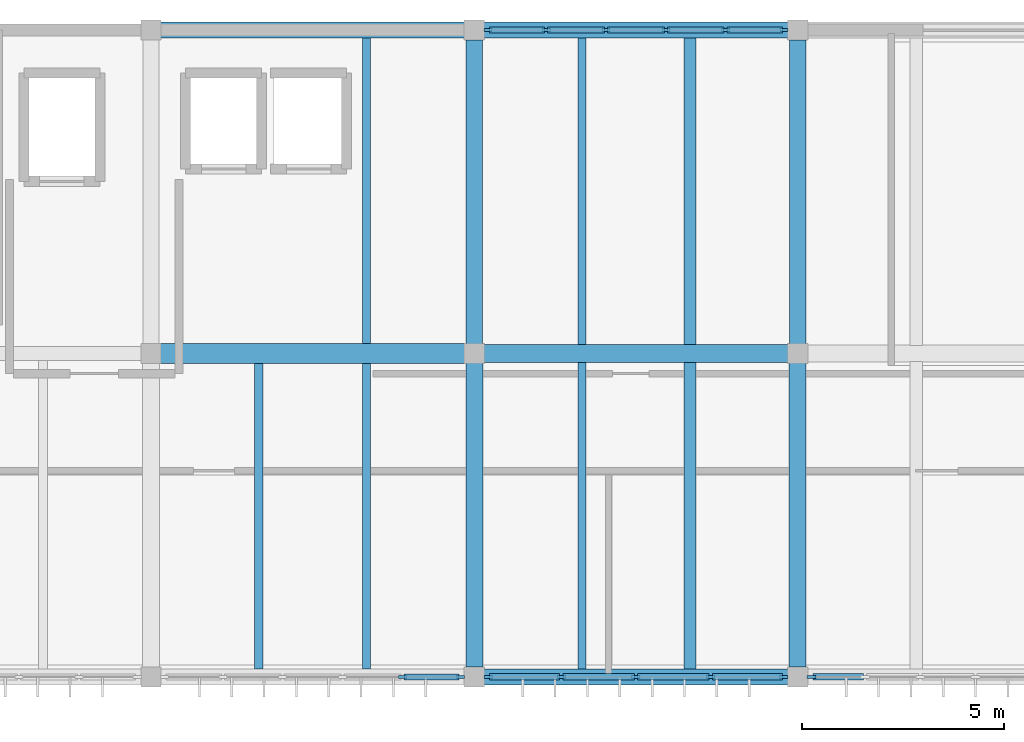
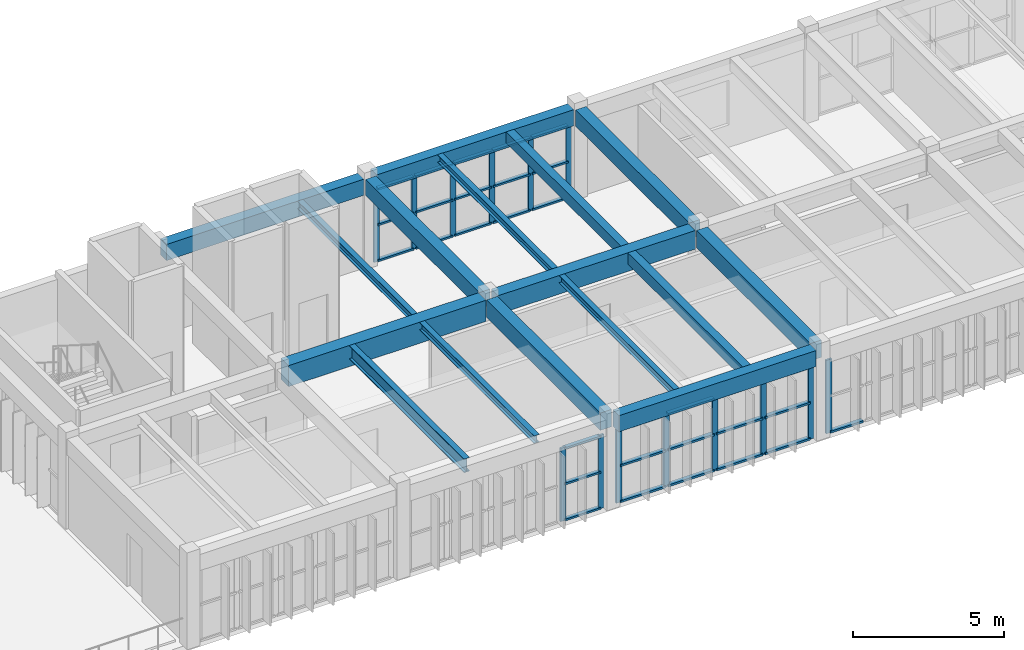
# One storey, part 3 of 12: 45 members, 16 beams, 4 elements without a shape of their own.
"""IFC4 building model written with IfcOpenShell, lengths in metres."""

from ifc_helpers import new_model, si_unit, direction, frame, origin, origin_2d, place, context, subcontext, project, spatial, rectangle, i_section, extrude, material, material_profile, profile_set, type_object, element, aggregate, save


model = new_model("IFC4")

# Units and contexts
model_context = context("Model", 3, precision=1e-05, world=origin(), true_north=direction((0.0, 1.0)))
body_context = subcontext(model_context, "Body", "Model", "MODEL_VIEW")
ifc_project = project(units=[si_unit("LENGTHUNIT", "METRE"), si_unit("AREAUNIT", "SQUARE_METRE"), si_unit("VOLUMEUNIT", "CUBIC_METRE"), si_unit("PLANEANGLEUNIT", "RADIAN"), si_unit("MASSUNIT", "GRAM", prefix="KILO")], contexts=[model_context])

# Site, building, storey
site_placement = place(None, origin())
site = spatial("IfcSite", under=ifc_project, at=site_placement, CompositionType="ELEMENT")
building_placement = place(site_placement, origin())
building = spatial("IfcBuilding", under=site, at=building_placement, Name="Tlaxcora Railside Police Headquarters", CompositionType="ELEMENT")
storey_placement = place(building_placement, frame((0.0, 0.0, 29.699951171875)))
storey = spatial("IfcBuildingStorey", under=building, at=storey_placement, Name="L07", CompositionType="ELEMENT", Elevation=29.699951171875)

# Curtain wall, member
ifc_material_1 = material(Name="Thermally broken low-E insulated glazing", Category="glass")
curtain_wall_type_1 = type_object("IfcCurtainWallType", Name="Unitised Curtain Wall Assembly CW-23", PredefinedType="NOTDEFINED", material=ifc_material_1)
curtain_wall_1_placement = place(storey_placement, origin())
curtain_wall_1 = element("IfcCurtainWall", 1, at=curtain_wall_1_placement, inside=storey, type_object=curtain_wall_type_1, Name="V5 L07 curtain wall 136", PredefinedType="NOTDEFINED")
ifc_material_2 = material(Name="Anodised aluminium framing", Category="aluminium")
ifc_material_profile_1 = material_profile(ifc_material_2, rectangle(XDim=0.080078125, YDim=0.219970703125, at=origin_2d()), Name="AL80X220")
ifc_profile_set_1 = profile_set([ifc_material_profile_1], Name="Anodised aluminium framing")
member_type_1 = type_object("IfcMemberType", Name="Curtain Wall Mullion CW-31", PredefinedType="MULLION", material=ifc_profile_set_1)
member_1_placement = place(storey_placement, frame((45.5400390625, 76.800048828125, 0.0), z_axis=(0.0, 0.0, 1.0), x_axis=(0.0, 1.0, 0.0)))
member_1 = element("IfcMember", 2, at=member_1_placement, type_object=member_type_1, Name="CW mullion 1", PredefinedType="MULLION", context=body_context, shape_type="SweptSolid", body=[
    extrude(rectangle(XDim=0.080078125, YDim=0.219970703125, at=origin_2d()), origin(), (0.0, 0.0, 1.0), 2.9599609375),
])

# Curtain wall, members
curtain_wall_type_2 = type_object("IfcCurtainWallType", Name="Unitised Curtain Wall Assembly CW-15", PredefinedType="NOTDEFINED", material=ifc_material_1)
curtain_wall_2_placement = place(storey_placement, origin())
curtain_wall_2 = element("IfcCurtainWall", 3, at=curtain_wall_2_placement, inside=storey, type_object=curtain_wall_type_2, Name="V5 L07 curtain wall 134", PredefinedType="NOTDEFINED")
ifc_material_profile_2 = material_profile(ifc_material_2, rectangle(XDim=0.074951171875, YDim=0.199951171875, at=origin_2d()), Name="AL75X200")
ifc_profile_set_2 = profile_set([ifc_material_profile_2], Name="Anodised aluminium framing")
member_type_2 = type_object("IfcMemberType", Name="Curtain Wall Mullion CW-58", PredefinedType="MULLION", material=ifc_profile_set_2)
member_2_placement = place(storey_placement, frame((35.419921875, 76.800048828125, 0.0), z_axis=(0.0, 0.0, 1.0), x_axis=(0.0, 1.0, 0.0)))
member_2 = element("IfcMember", 4, at=member_2_placement, type_object=member_type_2, Name="CW mullion 5", PredefinedType="MULLION", context=body_context, shape_type="SweptSolid", body=[
    extrude(rectangle(XDim=0.074951171875, YDim=0.199951171875, at=origin_2d()), origin(), (0.0, 0.0, 1.0), 2.9599609375),
])
member_3_placement = place(storey_placement, frame((36.862548828125, 76.800048828125, 0.0), z_axis=(0.0, 0.0, 1.0), x_axis=(0.0, 1.0, 0.0)))
member_3 = element("IfcMember", 5, at=member_3_placement, type_object=member_type_2, Name="CW mullion 6", PredefinedType="MULLION", context=body_context, shape_type="SweptSolid", body=[
    extrude(rectangle(XDim=0.074951171875, YDim=0.199951171875, at=origin_2d()), origin(), (0.0, 0.0, 1.0), 2.9599609375),
])

curtain_wall_3_placement = place(storey_placement, origin())
curtain_wall_3 = element("IfcCurtainWall", 6, at=curtain_wall_3_placement, inside=storey, type_object=curtain_wall_type_2, Name="V5 L07 curtain wall 142", PredefinedType="NOTDEFINED")
member_4_placement = place(storey_placement, frame((44.862548828125, 92.800048828125, 0.0), z_axis=(0.0, 0.0, 1.0), x_axis=(0.0, -1.0, 0.0)))
member_4 = element("IfcMember", 7, at=member_4_placement, type_object=member_type_2, Name="CW mullion 1", PredefinedType="MULLION", context=body_context, shape_type="SweptSolid", body=[
    extrude(rectangle(XDim=0.074951171875, YDim=0.199951171875, at=origin_2d()), origin(), (0.0, 0.0, 1.0), 2.9599609375),
])
member_5_placement = place(storey_placement, frame((43.419921875, 92.800048828125, 0.0), z_axis=(0.0, 0.0, 1.0), x_axis=(0.0, -1.0, 0.0)))
member_5 = element("IfcMember", 8, at=member_5_placement, type_object=member_type_2, Name="CW mullion 2", PredefinedType="MULLION", context=body_context, shape_type="SweptSolid", body=[
    extrude(rectangle(XDim=0.074951171875, YDim=0.199951171875, at=origin_2d()), origin(), (0.0, 0.0, 1.0), 2.9599609375),
])
member_6_placement = place(storey_placement, frame((41.93994140625, 92.800048828125, 0.0), z_axis=(0.0, 0.0, 1.0), x_axis=(0.0, -1.0, 0.0)))
member_6 = element("IfcMember", 9, at=member_6_placement, type_object=member_type_2, Name="CW mullion 3", PredefinedType="MULLION", context=body_context, shape_type="SweptSolid", body=[
    extrude(rectangle(XDim=0.074951171875, YDim=0.199951171875, at=origin_2d()), origin(), (0.0, 0.0, 1.0), 2.9599609375),
])
member_7_placement = place(storey_placement, frame((40.4599609375, 92.800048828125, 0.0), z_axis=(0.0, 0.0, 1.0), x_axis=(0.0, -1.0, 0.0)))
member_7 = element("IfcMember", 10, at=member_7_placement, type_object=member_type_2, Name="CW mullion 4", PredefinedType="MULLION", context=body_context, shape_type="SweptSolid", body=[
    extrude(rectangle(XDim=0.074951171875, YDim=0.199951171875, at=origin_2d()), origin(), (0.0, 0.0, 1.0), 2.9599609375),
])
member_8_placement = place(storey_placement, frame((38.97998046875, 92.800048828125, 0.0), z_axis=(0.0, 0.0, 1.0), x_axis=(0.0, -1.0, 0.0)))
member_8 = element("IfcMember", 11, at=member_8_placement, type_object=member_type_2, Name="CW mullion 5", PredefinedType="MULLION", context=body_context, shape_type="SweptSolid", body=[
    extrude(rectangle(XDim=0.074951171875, YDim=0.199951171875, at=origin_2d()), origin(), (0.0, 0.0, 1.0), 2.9599609375),
])
member_9_placement = place(storey_placement, frame((37.53759765625, 92.800048828125, 0.0), z_axis=(0.0, 0.0, 1.0), x_axis=(0.0, -1.0, 0.0)))
member_9 = element("IfcMember", 12, at=member_9_placement, type_object=member_type_2, Name="CW mullion 6", PredefinedType="MULLION", context=body_context, shape_type="SweptSolid", body=[
    extrude(rectangle(XDim=0.074951171875, YDim=0.199951171875, at=origin_2d()), origin(), (0.0, 0.0, 1.0), 2.9599609375),
])

curtain_wall_type_3 = type_object("IfcCurtainWallType", Name="Unitised Curtain Wall Assembly CW-83", PredefinedType="NOTDEFINED", material=ifc_material_1)
curtain_wall_4_placement = place(storey_placement, origin())
curtain_wall_4 = element("IfcCurtainWall", 13, at=curtain_wall_4_placement, inside=storey, type_object=curtain_wall_type_3, Name="V5 L07 curtain wall 135", PredefinedType="NOTDEFINED")
ifc_material_profile_3 = material_profile(ifc_material_2, rectangle(XDim=0.080078125, YDim=0.2099609375, at=origin_2d()), Name="AL80X210")
ifc_profile_set_3 = profile_set([ifc_material_profile_3], Name="Anodised aluminium framing")
member_type_3 = type_object("IfcMemberType", Name="Curtain Wall Mullion CW-76", PredefinedType="MULLION", material=ifc_profile_set_3)
member_10_placement = place(storey_placement, frame((37.5400390625, 76.800048828125, 0.0), z_axis=(0.0, 0.0, 1.0), x_axis=(0.0, 1.0, 0.0)))
member_10 = element("IfcMember", 14, at=member_10_placement, type_object=member_type_3, Name="CW mullion 1", PredefinedType="MULLION", context=body_context, shape_type="SweptSolid", body=[
    extrude(rectangle(XDim=0.080078125, YDim=0.2099609375, at=origin_2d()), origin(), (0.0, 0.0, 1.0), 2.9599609375),
])
member_11_placement = place(storey_placement, frame((39.35009765625, 76.800048828125, 0.0), z_axis=(0.0, 0.0, 1.0), x_axis=(0.0, 1.0, 0.0)))
member_11 = element("IfcMember", 15, at=member_11_placement, type_object=member_type_3, Name="CW mullion 2", PredefinedType="MULLION", context=body_context, shape_type="SweptSolid", body=[
    extrude(rectangle(XDim=0.080078125, YDim=0.2099609375, at=origin_2d()), origin(), (0.0, 0.0, 1.0), 2.9599609375),
])
member_12_placement = place(storey_placement, frame((41.199951171875, 76.800048828125, 0.0), z_axis=(0.0, 0.0, 1.0), x_axis=(0.0, 1.0, 0.0)))
member_12 = element("IfcMember", 16, at=member_12_placement, type_object=member_type_3, Name="CW mullion 3", PredefinedType="MULLION", context=body_context, shape_type="SweptSolid", body=[
    extrude(rectangle(XDim=0.080078125, YDim=0.2099609375, at=origin_2d()), origin(), (0.0, 0.0, 1.0), 2.9599609375),
])
member_13_placement = place(storey_placement, frame((43.050048828125, 76.800048828125, 0.0), z_axis=(0.0, 0.0, 1.0), x_axis=(0.0, 1.0, 0.0)))
member_13 = element("IfcMember", 17, at=member_13_placement, type_object=member_type_3, Name="CW mullion 4", PredefinedType="MULLION", context=body_context, shape_type="SweptSolid", body=[
    extrude(rectangle(XDim=0.080078125, YDim=0.2099609375, at=origin_2d()), origin(), (0.0, 0.0, 1.0), 2.9599609375),
])
member_14_placement = place(storey_placement, frame((44.860107421875, 76.800048828125, 0.0), z_axis=(0.0, 0.0, 1.0), x_axis=(0.0, 1.0, 0.0)))
member_14 = element("IfcMember", 18, at=member_14_placement, type_object=member_type_3, Name="CW mullion 5", PredefinedType="MULLION", context=body_context, shape_type="SweptSolid", body=[
    extrude(rectangle(XDim=0.080078125, YDim=0.2099609375, at=origin_2d()), origin(), (0.0, 0.0, 1.0), 2.9599609375),
])

# Member
ifc_material_profile_4 = material_profile(ifc_material_2, rectangle(XDim=0.14990234375, YDim=0.074951171875, at=origin_2d()), Name="AL75X150")
ifc_profile_set_4 = profile_set([ifc_material_profile_4], Name="Anodised aluminium framing")
member_type_4 = type_object("IfcMemberType", Name="Curtain Wall Transom CW-28", PredefinedType="USERDEFINED", material=ifc_profile_set_4)
member_15_placement = place(storey_placement, frame((35.45751953125, 76.800048828125, 0.03759765625), z_axis=(1.0, 0.0, 0.0), x_axis=(0.0, 1.0, 0.0)))
member_15 = element("IfcMember", 19, at=member_15_placement, type_object=member_type_4, Name="CW transom 5.1", ObjectType="TRANSOM", PredefinedType="USERDEFINED", context=body_context, shape_type="SweptSolid", body=[
    extrude(rectangle(XDim=0.14990234375, YDim=0.074951171875, at=origin_2d()), origin(), (0.0, 0.0, 1.0), 1.367431640625),
])

member_16_placement = place(storey_placement, frame((35.45751953125, 76.800048828125, 1.489990234375), z_axis=(1.0, 0.0, 0.0), x_axis=(0.0, 1.0, 0.0)))
member_16 = element("IfcMember", 20, at=member_16_placement, type_object=member_type_4, Name="CW transom 5.2", ObjectType="TRANSOM", PredefinedType="USERDEFINED", context=body_context, shape_type="SweptSolid", body=[
    extrude(rectangle(XDim=0.14990234375, YDim=0.074951171875, at=origin_2d()), origin(), (0.0, 0.0, 1.0), 1.367431640625),
])

member_17_placement = place(storey_placement, frame((35.45751953125, 76.800048828125, 2.922607421875), z_axis=(1.0, 0.0, 0.0), x_axis=(0.0, 1.0, 0.0)))
member_17 = element("IfcMember", 21, at=member_17_placement, type_object=member_type_4, Name="CW transom 5.3", ObjectType="TRANSOM", PredefinedType="USERDEFINED", context=body_context, shape_type="SweptSolid", body=[
    extrude(rectangle(XDim=0.14990234375, YDim=0.074951171875, at=origin_2d()), origin(), (0.0, 0.0, 1.0), 1.367431640625),
])

aggregate(curtain_wall_2, [member_2, member_3, member_15, member_16, member_17])

member_18_placement = place(storey_placement, frame((44.824951171875, 92.800048828125, 0.03759765625), z_axis=(-1.0, 0.0, 0.0), x_axis=(0.0, -1.0, 0.0)))
member_18 = element("IfcMember", 22, at=member_18_placement, type_object=member_type_4, Name="CW transom 1.1", ObjectType="TRANSOM", PredefinedType="USERDEFINED", context=body_context, shape_type="SweptSolid", body=[
    extrude(rectangle(XDim=0.14990234375, YDim=0.074951171875, at=origin_2d()), origin(), (0.0, 0.0, 1.0), 1.367431640625),
])

member_19_placement = place(storey_placement, frame((44.824951171875, 92.800048828125, 1.489990234375), z_axis=(-1.0, 0.0, 0.0), x_axis=(0.0, -1.0, 0.0)))
member_19 = element("IfcMember", 23, at=member_19_placement, type_object=member_type_4, Name="CW transom 1.2", ObjectType="TRANSOM", PredefinedType="USERDEFINED", context=body_context, shape_type="SweptSolid", body=[
    extrude(rectangle(XDim=0.14990234375, YDim=0.074951171875, at=origin_2d()), origin(), (0.0, 0.0, 1.0), 1.367431640625),
])

member_20_placement = place(storey_placement, frame((44.824951171875, 92.800048828125, 2.922607421875), z_axis=(-1.0, 0.0, 0.0), x_axis=(0.0, -1.0, 0.0)))
member_20 = element("IfcMember", 24, at=member_20_placement, type_object=member_type_4, Name="CW transom 1.3", ObjectType="TRANSOM", PredefinedType="USERDEFINED", context=body_context, shape_type="SweptSolid", body=[
    extrude(rectangle(XDim=0.14990234375, YDim=0.074951171875, at=origin_2d()), origin(), (0.0, 0.0, 1.0), 1.367431640625),
])

member_21_placement = place(storey_placement, frame((43.382568359375, 92.800048828125, 0.03759765625), z_axis=(-1.0, 0.0, 0.0), x_axis=(0.0, -1.0, 0.0)))
member_21 = element("IfcMember", 25, at=member_21_placement, type_object=member_type_4, Name="CW transom 2.1", ObjectType="TRANSOM", PredefinedType="USERDEFINED", context=body_context, shape_type="SweptSolid", body=[
    extrude(rectangle(XDim=0.14990234375, YDim=0.074951171875, at=origin_2d()), origin(), (0.0, 0.0, 1.0), 1.405029296875),
])

member_22_placement = place(storey_placement, frame((43.382568359375, 92.800048828125, 1.489990234375), z_axis=(-1.0, 0.0, 0.0), x_axis=(0.0, -1.0, 0.0)))
member_22 = element("IfcMember", 26, at=member_22_placement, type_object=member_type_4, Name="CW transom 2.2", ObjectType="TRANSOM", PredefinedType="USERDEFINED", context=body_context, shape_type="SweptSolid", body=[
    extrude(rectangle(XDim=0.14990234375, YDim=0.074951171875, at=origin_2d()), origin(), (0.0, 0.0, 1.0), 1.405029296875),
])

member_23_placement = place(storey_placement, frame((43.382568359375, 92.800048828125, 2.922607421875), z_axis=(-1.0, 0.0, 0.0), x_axis=(0.0, -1.0, 0.0)))
member_23 = element("IfcMember", 27, at=member_23_placement, type_object=member_type_4, Name="CW transom 2.3", ObjectType="TRANSOM", PredefinedType="USERDEFINED", context=body_context, shape_type="SweptSolid", body=[
    extrude(rectangle(XDim=0.14990234375, YDim=0.074951171875, at=origin_2d()), origin(), (0.0, 0.0, 1.0), 1.405029296875),
])

member_24_placement = place(storey_placement, frame((41.902587890625, 92.800048828125, 0.03759765625), z_axis=(-1.0, 0.0, 0.0), x_axis=(0.0, -1.0, 0.0)))
member_24 = element("IfcMember", 28, at=member_24_placement, type_object=member_type_4, Name="CW transom 3.1", ObjectType="TRANSOM", PredefinedType="USERDEFINED", context=body_context, shape_type="SweptSolid", body=[
    extrude(rectangle(XDim=0.14990234375, YDim=0.074951171875, at=origin_2d()), origin(), (0.0, 0.0, 1.0), 1.405029296875),
])

member_25_placement = place(storey_placement, frame((41.902587890625, 92.800048828125, 1.489990234375), z_axis=(-1.0, 0.0, 0.0), x_axis=(0.0, -1.0, 0.0)))
member_25 = element("IfcMember", 29, at=member_25_placement, type_object=member_type_4, Name="CW transom 3.2", ObjectType="TRANSOM", PredefinedType="USERDEFINED", context=body_context, shape_type="SweptSolid", body=[
    extrude(rectangle(XDim=0.14990234375, YDim=0.074951171875, at=origin_2d()), origin(), (0.0, 0.0, 1.0), 1.405029296875),
])

member_26_placement = place(storey_placement, frame((41.902587890625, 92.800048828125, 2.922607421875), z_axis=(-1.0, 0.0, 0.0), x_axis=(0.0, -1.0, 0.0)))
member_26 = element("IfcMember", 30, at=member_26_placement, type_object=member_type_4, Name="CW transom 3.3", ObjectType="TRANSOM", PredefinedType="USERDEFINED", context=body_context, shape_type="SweptSolid", body=[
    extrude(rectangle(XDim=0.14990234375, YDim=0.074951171875, at=origin_2d()), origin(), (0.0, 0.0, 1.0), 1.405029296875),
])

member_27_placement = place(storey_placement, frame((40.422607421875, 92.800048828125, 0.03759765625), z_axis=(-1.0, 0.0, 0.0), x_axis=(0.0, -1.0, 0.0)))
member_27 = element("IfcMember", 31, at=member_27_placement, type_object=member_type_4, Name="CW transom 4.1", ObjectType="TRANSOM", PredefinedType="USERDEFINED", context=body_context, shape_type="SweptSolid", body=[
    extrude(rectangle(XDim=0.14990234375, YDim=0.074951171875, at=origin_2d()), origin(), (0.0, 0.0, 1.0), 1.405029296875),
])

member_28_placement = place(storey_placement, frame((40.422607421875, 92.800048828125, 1.489990234375), z_axis=(-1.0, 0.0, 0.0), x_axis=(0.0, -1.0, 0.0)))
member_28 = element("IfcMember", 32, at=member_28_placement, type_object=member_type_4, Name="CW transom 4.2", ObjectType="TRANSOM", PredefinedType="USERDEFINED", context=body_context, shape_type="SweptSolid", body=[
    extrude(rectangle(XDim=0.14990234375, YDim=0.074951171875, at=origin_2d()), origin(), (0.0, 0.0, 1.0), 1.405029296875),
])

member_29_placement = place(storey_placement, frame((40.422607421875, 92.800048828125, 2.922607421875), z_axis=(-1.0, 0.0, 0.0), x_axis=(0.0, -1.0, 0.0)))
member_29 = element("IfcMember", 33, at=member_29_placement, type_object=member_type_4, Name="CW transom 4.3", ObjectType="TRANSOM", PredefinedType="USERDEFINED", context=body_context, shape_type="SweptSolid", body=[
    extrude(rectangle(XDim=0.14990234375, YDim=0.074951171875, at=origin_2d()), origin(), (0.0, 0.0, 1.0), 1.405029296875),
])

member_30_placement = place(storey_placement, frame((38.9423828125, 92.800048828125, 0.03759765625), z_axis=(-1.0, 0.0, 0.0), x_axis=(0.0, -1.0, 0.0)))
member_30 = element("IfcMember", 34, at=member_30_placement, type_object=member_type_4, Name="CW transom 5.1", ObjectType="TRANSOM", PredefinedType="USERDEFINED", context=body_context, shape_type="SweptSolid", body=[
    extrude(rectangle(XDim=0.14990234375, YDim=0.074951171875, at=origin_2d()), origin(), (0.0, 0.0, 1.0), 1.367431640625),
])

member_31_placement = place(storey_placement, frame((38.9423828125, 92.800048828125, 1.489990234375), z_axis=(-1.0, 0.0, 0.0), x_axis=(0.0, -1.0, 0.0)))
member_31 = element("IfcMember", 35, at=member_31_placement, type_object=member_type_4, Name="CW transom 5.2", ObjectType="TRANSOM", PredefinedType="USERDEFINED", context=body_context, shape_type="SweptSolid", body=[
    extrude(rectangle(XDim=0.14990234375, YDim=0.074951171875, at=origin_2d()), origin(), (0.0, 0.0, 1.0), 1.367431640625),
])

member_32_placement = place(storey_placement, frame((38.9423828125, 92.800048828125, 2.922607421875), z_axis=(-1.0, 0.0, 0.0), x_axis=(0.0, -1.0, 0.0)))
member_32 = element("IfcMember", 36, at=member_32_placement, type_object=member_type_4, Name="CW transom 5.3", ObjectType="TRANSOM", PredefinedType="USERDEFINED", context=body_context, shape_type="SweptSolid", body=[
    extrude(rectangle(XDim=0.14990234375, YDim=0.074951171875, at=origin_2d()), origin(), (0.0, 0.0, 1.0), 1.367431640625),
])

aggregate(curtain_wall_3, [member_4, member_5, member_6, member_7, member_8, member_9, member_18, member_19, member_20, member_21, member_22, member_23, member_24, member_25, member_26, member_27, member_28, member_29, member_30, member_31, member_32])

ifc_material_profile_5 = material_profile(ifc_material_2, rectangle(XDim=0.1650390625, YDim=0.080078125, at=origin_2d()), Name="AL80X165")
ifc_profile_set_5 = profile_set([ifc_material_profile_5], Name="Anodised aluminium framing")
member_type_5 = type_object("IfcMemberType", Name="Curtain Wall Transom CW-62", PredefinedType="USERDEFINED", material=ifc_profile_set_5)
member_33_placement = place(storey_placement, frame((45.580078125, 76.800048828125, 0.0400390625), z_axis=(1.0, 0.0, 0.0), x_axis=(0.0, 1.0, 0.0)))
member_33 = element("IfcMember", 37, at=member_33_placement, type_object=member_type_5, Name="CW transom 1.1", ObjectType="TRANSOM", PredefinedType="USERDEFINED", context=body_context, shape_type="SweptSolid", body=[
    extrude(rectangle(XDim=0.1650390625, YDim=0.080078125, at=origin_2d()), origin(), (0.0, 0.0, 1.0), 1.24658203125),
])

aggregate(curtain_wall_1, [member_1, member_33])

ifc_material_profile_6 = material_profile(ifc_material_2, rectangle(XDim=0.159912109375, YDim=0.080078125, at=origin_2d()), Name="AL80X160")
ifc_profile_set_6 = profile_set([ifc_material_profile_6], Name="Anodised aluminium framing")
member_type_6 = type_object("IfcMemberType", Name="Curtain Wall Transom CW-82", PredefinedType="USERDEFINED", material=ifc_profile_set_6)
member_34_placement = place(storey_placement, frame((37.580078125, 76.800048828125, 0.0400390625), z_axis=(1.0, 0.0, 0.0), x_axis=(0.0, 1.0, 0.0)))
member_34 = element("IfcMember", 38, at=member_34_placement, type_object=member_type_6, Name="CW transom 1.1", ObjectType="TRANSOM", PredefinedType="USERDEFINED", context=body_context, shape_type="SweptSolid", body=[
    extrude(rectangle(XDim=0.159912109375, YDim=0.080078125, at=origin_2d()), origin(), (0.0, 0.0, 1.0), 1.72998046875),
])

member_35_placement = place(storey_placement, frame((37.580078125, 76.800048828125, 1.489990234375), z_axis=(1.0, 0.0, 0.0), x_axis=(0.0, 1.0, 0.0)))
member_35 = element("IfcMember", 39, at=member_35_placement, type_object=member_type_6, Name="CW transom 1.2", ObjectType="TRANSOM", PredefinedType="USERDEFINED", context=body_context, shape_type="SweptSolid", body=[
    extrude(rectangle(XDim=0.159912109375, YDim=0.080078125, at=origin_2d()), origin(), (0.0, 0.0, 1.0), 1.72998046875),
])

member_36_placement = place(storey_placement, frame((37.580078125, 76.800048828125, 2.920166015625), z_axis=(1.0, 0.0, 0.0), x_axis=(0.0, 1.0, 0.0)))
member_36 = element("IfcMember", 40, at=member_36_placement, type_object=member_type_6, Name="CW transom 1.3", ObjectType="TRANSOM", PredefinedType="USERDEFINED", context=body_context, shape_type="SweptSolid", body=[
    extrude(rectangle(XDim=0.159912109375, YDim=0.080078125, at=origin_2d()), origin(), (0.0, 0.0, 1.0), 1.72998046875),
])

member_37_placement = place(storey_placement, frame((39.389892578125, 76.800048828125, 0.0400390625), z_axis=(1.0, 0.0, 0.0), x_axis=(0.0, 1.0, 0.0)))
member_37 = element("IfcMember", 41, at=member_37_placement, type_object=member_type_6, Name="CW transom 2.1", ObjectType="TRANSOM", PredefinedType="USERDEFINED", context=body_context, shape_type="SweptSolid", body=[
    extrude(rectangle(XDim=0.159912109375, YDim=0.080078125, at=origin_2d()), origin(), (0.0, 0.0, 1.0), 1.77001953125),
])

member_38_placement = place(storey_placement, frame((39.389892578125, 76.800048828125, 1.489990234375), z_axis=(1.0, 0.0, 0.0), x_axis=(0.0, 1.0, 0.0)))
member_38 = element("IfcMember", 42, at=member_38_placement, type_object=member_type_6, Name="CW transom 2.2", ObjectType="TRANSOM", PredefinedType="USERDEFINED", context=body_context, shape_type="SweptSolid", body=[
    extrude(rectangle(XDim=0.159912109375, YDim=0.080078125, at=origin_2d()), origin(), (0.0, 0.0, 1.0), 1.77001953125),
])

member_39_placement = place(storey_placement, frame((39.389892578125, 76.800048828125, 2.920166015625), z_axis=(1.0, 0.0, 0.0), x_axis=(0.0, 1.0, 0.0)))
member_39 = element("IfcMember", 43, at=member_39_placement, type_object=member_type_6, Name="CW transom 2.3", ObjectType="TRANSOM", PredefinedType="USERDEFINED", context=body_context, shape_type="SweptSolid", body=[
    extrude(rectangle(XDim=0.159912109375, YDim=0.080078125, at=origin_2d()), origin(), (0.0, 0.0, 1.0), 1.77001953125),
])

member_40_placement = place(storey_placement, frame((41.239990234375, 76.800048828125, 0.0400390625), z_axis=(1.0, 0.0, 0.0), x_axis=(0.0, 1.0, 0.0)))
member_40 = element("IfcMember", 44, at=member_40_placement, type_object=member_type_6, Name="CW transom 3.1", ObjectType="TRANSOM", PredefinedType="USERDEFINED", context=body_context, shape_type="SweptSolid", body=[
    extrude(rectangle(XDim=0.159912109375, YDim=0.080078125, at=origin_2d()), origin(), (0.0, 0.0, 1.0), 1.77001953125),
])

member_41_placement = place(storey_placement, frame((41.239990234375, 76.800048828125, 1.489990234375), z_axis=(1.0, 0.0, 0.0), x_axis=(0.0, 1.0, 0.0)))
member_41 = element("IfcMember", 45, at=member_41_placement, type_object=member_type_6, Name="CW transom 3.2", ObjectType="TRANSOM", PredefinedType="USERDEFINED", context=body_context, shape_type="SweptSolid", body=[
    extrude(rectangle(XDim=0.159912109375, YDim=0.080078125, at=origin_2d()), origin(), (0.0, 0.0, 1.0), 1.77001953125),
])

member_42_placement = place(storey_placement, frame((41.239990234375, 76.800048828125, 2.920166015625), z_axis=(1.0, 0.0, 0.0), x_axis=(0.0, 1.0, 0.0)))
member_42 = element("IfcMember", 46, at=member_42_placement, type_object=member_type_6, Name="CW transom 3.3", ObjectType="TRANSOM", PredefinedType="USERDEFINED", context=body_context, shape_type="SweptSolid", body=[
    extrude(rectangle(XDim=0.159912109375, YDim=0.080078125, at=origin_2d()), origin(), (0.0, 0.0, 1.0), 1.77001953125),
])

member_43_placement = place(storey_placement, frame((43.090087890625, 76.800048828125, 0.0400390625), z_axis=(1.0, 0.0, 0.0), x_axis=(0.0, 1.0, 0.0)))
member_43 = element("IfcMember", 47, at=member_43_placement, type_object=member_type_6, Name="CW transom 4.1", ObjectType="TRANSOM", PredefinedType="USERDEFINED", context=body_context, shape_type="SweptSolid", body=[
    extrude(rectangle(XDim=0.159912109375, YDim=0.080078125, at=origin_2d()), origin(), (0.0, 0.0, 1.0), 1.72998046875),
])

member_44_placement = place(storey_placement, frame((43.090087890625, 76.800048828125, 1.489990234375), z_axis=(1.0, 0.0, 0.0), x_axis=(0.0, 1.0, 0.0)))
member_44 = element("IfcMember", 48, at=member_44_placement, type_object=member_type_6, Name="CW transom 4.2", ObjectType="TRANSOM", PredefinedType="USERDEFINED", context=body_context, shape_type="SweptSolid", body=[
    extrude(rectangle(XDim=0.159912109375, YDim=0.080078125, at=origin_2d()), origin(), (0.0, 0.0, 1.0), 1.72998046875),
])

member_45_placement = place(storey_placement, frame((43.090087890625, 76.800048828125, 2.920166015625), z_axis=(1.0, 0.0, 0.0), x_axis=(0.0, 1.0, 0.0)))
member_45 = element("IfcMember", 49, at=member_45_placement, type_object=member_type_6, Name="CW transom 4.3", ObjectType="TRANSOM", PredefinedType="USERDEFINED", context=body_context, shape_type="SweptSolid", body=[
    extrude(rectangle(XDim=0.159912109375, YDim=0.080078125, at=origin_2d()), origin(), (0.0, 0.0, 1.0), 1.72998046875),
])

aggregate(curtain_wall_4, [member_10, member_11, member_12, member_13, member_14, member_34, member_35, member_36, member_37, member_38, member_39, member_40, member_41, member_42, member_43, member_44, member_45])

# Beams
ifc_material_3 = material(Name="Concrete C40/50", Category="concrete")
ifc_material_profile_7 = material_profile(ifc_material_3, rectangle(XDim=0.39990234375, YDim=0.64990234375, at=origin_2d()), Name="RC400X650")
ifc_profile_set_7 = profile_set([ifc_material_profile_7], Name="Concrete C40/50")
beam_type_1 = type_object("IfcBeamType", Name="Perimeter Spandrel Beam BM-46", PredefinedType="SPANDREL", material=ifc_profile_set_7)
for number, where, z_axis, x_axis, name in (
    (50, (37.43994140625, 76.800048828125, 3.304931640625), (1.0, 0.0, 0.0), (0.0, 1.0, 0.0), "V5 L07 X-girder Y=76.8"),
    (51, (29.43994140625, 92.800048828125, 3.304931640625), (1.0, 0.0, 0.0), (0.0, 1.0, 0.0), "V5 L07 X-girder Y=92.8"),
    (52, (37.43994140625, 92.800048828125, 3.304931640625), (1.0, 0.0, 0.0), (0.0, 1.0, 0.0), "V5 L07 X-girder Y=92.8"),
):
    element("IfcBeam", number, at=place(storey_placement, frame(where, z_axis=z_axis, x_axis=x_axis)), inside=storey, type_object=beam_type_1, Name=name, PredefinedType="SPANDREL", context=body_context, shape_type="SweptSolid", body=[
        extrude(rectangle(XDim=0.39990234375, YDim=0.64990234375, at=origin_2d()), origin(), (0.0, 0.0, 1.0), 7.52001953125),
    ])
ifc_material_profile_8 = material_profile(ifc_material_3, rectangle(XDim=0.419921875, YDim=0.699951171875, at=origin_2d()), Name="RC420X700")
ifc_profile_set_8 = profile_set([ifc_material_profile_8], Name="Concrete C40/50")
beam_type_2 = type_object("IfcBeamType", Name="Primary Frame Girder BM-35", PredefinedType="BEAM", material=ifc_profile_set_8)
for number, where, z_axis, x_axis, name in (
    (53, (37.199951171875, 77.0400390625, 3.280029296875), (0.0, 1.0, 0.0), (-1.0, 0.0, 0.0), "V5 L07 Y-girder X=37.2"),
    (54, (45.199951171875, 77.0400390625, 3.280029296875), (0.0, 1.0, 0.0), (-1.0, 0.0, 0.0), "V5 L07 Y-girder X=45.2"),
):
    element("IfcBeam", number, at=place(storey_placement, frame(where, z_axis=z_axis, x_axis=x_axis)), inside=storey, type_object=beam_type_2, Name=name, PredefinedType="BEAM", context=body_context, shape_type="SweptSolid", body=[
        extrude(rectangle(XDim=0.419921875, YDim=0.699951171875, at=origin_2d()), origin(), (0.0, 0.0, 1.0), 7.52001953125),
    ])
ifc_material_profile_9 = material_profile(ifc_material_3, rectangle(XDim=0.39990234375, YDim=0.64990234375, at=origin_2d()), Name="RC400X650")
ifc_profile_set_9 = profile_set([ifc_material_profile_9], Name="Concrete C40/50")
beam_type_3 = type_object("IfcBeamType", Name="Primary Frame Girder BM-41", PredefinedType="BEAM", material=ifc_profile_set_9)
for number, where, z_axis, x_axis, name in (
    (55, (37.199951171875, 85.0400390625, 3.304931640625), (0.0, 1.0, 0.0), (-1.0, 0.0, 0.0), "V5 L07 Y-girder X=37.2"),
    (56, (45.199951171875, 85.0400390625, 3.304931640625), (0.0, 1.0, 0.0), (-1.0, 0.0, 0.0), "V5 L07 Y-girder X=45.2"),
):
    element("IfcBeam", number, at=place(storey_placement, frame(where, z_axis=z_axis, x_axis=x_axis)), inside=storey, type_object=beam_type_3, Name=name, PredefinedType="BEAM", context=body_context, shape_type="SweptSolid", body=[
        extrude(rectangle(XDim=0.39990234375, YDim=0.64990234375, at=origin_2d()), origin(), (0.0, 0.0, 1.0), 7.52001953125),
    ])
ifc_material_profile_10 = material_profile(ifc_material_3, rectangle(XDim=0.5, YDim=0.85009765625, at=origin_2d()), Name="RC500X850")
ifc_profile_set_10 = profile_set([ifc_material_profile_10], Name="Concrete C40/50")
beam_type_4 = type_object("IfcBeamType", Name="Primary Frame Girder BM-64", PredefinedType="BEAM", material=ifc_profile_set_10)
beam_1_placement = place(storey_placement, frame((29.43994140625, 84.800048828125, 3.205078125), z_axis=(1.0, 0.0, 0.0), x_axis=(0.0, 1.0, 0.0)))
element("IfcBeam", 57, at=beam_1_placement, inside=storey, type_object=beam_type_4, Name="V5 L07 X-girder Y=84.8", PredefinedType="BEAM", context=body_context, shape_type="SweptSolid", body=[
    extrude(rectangle(XDim=0.5, YDim=0.85009765625, at=origin_2d()), origin(), (0.0, 0.0, 1.0), 7.52001953125),
])
ifc_material_profile_11 = material_profile(ifc_material_3, rectangle(XDim=0.449951171875, YDim=0.75, at=origin_2d()), Name="RC450X750")
ifc_profile_set_11 = profile_set([ifc_material_profile_11], Name="Concrete C40/50")
beam_type_5 = type_object("IfcBeamType", Name="Primary Frame Girder BM-73", PredefinedType="BEAM", material=ifc_profile_set_11)
beam_2_placement = place(storey_placement, frame((37.43994140625, 84.800048828125, 3.255126953125), z_axis=(1.0, 0.0, 0.0), x_axis=(0.0, 1.0, 0.0)))
element("IfcBeam", 58, at=beam_2_placement, inside=storey, type_object=beam_type_5, Name="V5 L07 X-girder Y=84.8", PredefinedType="BEAM", context=body_context, shape_type="SweptSolid", body=[
    extrude(rectangle(XDim=0.449951171875, YDim=0.75, at=origin_2d()), origin(), (0.0, 0.0, 1.0), 7.52001953125),
])
ifc_material_4 = material(Name="Concrete C35/45", Category="concrete")
ifc_material_profile_12 = material_profile(ifc_material_4, rectangle(XDim=0.300048828125, YDim=0.449951171875, at=origin_2d()), Name="RC300X450")
ifc_profile_set_12 = profile_set([ifc_material_profile_12], Name="Concrete C35/45")
beam_type_6 = type_object("IfcBeamType", Name="Secondary Floor Joist BM-27", PredefinedType="JOIST", material=ifc_profile_set_12)
beam_3_placement = place(storey_placement, frame((42.533203125, 76.991943359375, 3.405029296875), z_axis=(0.0, 1.0, 0.0), x_axis=(-1.0, 0.0, 0.0)))
element("IfcBeam", 59, at=beam_3_placement, inside=storey, type_object=beam_type_6, Name="V5 L07 floor joist X=42.53", PredefinedType="JOIST", context=body_context, shape_type="SweptSolid", body=[
    extrude(rectangle(XDim=0.300048828125, YDim=0.449951171875, at=origin_2d()), origin(), (0.0, 0.0, 1.0), 7.591064453125),
])
beam_4_placement = place(storey_placement, frame((42.533203125, 85.01708984375, 3.405029296875), z_axis=(0.0, 1.0, 0.0), x_axis=(-1.0, 0.0, 0.0)))
element("IfcBeam", 60, at=beam_4_placement, inside=storey, type_object=beam_type_6, Name="V5 L07 floor joist X=42.53", PredefinedType="JOIST", context=body_context, shape_type="SweptSolid", body=[
    extrude(rectangle(XDim=0.300048828125, YDim=0.449951171875, at=origin_2d()), origin(), (0.0, 0.0, 1.0), 7.5908203125),
])
ifc_material_5 = material(Name="Steel ASTM A992 Grade 50", Category="steel")
ifc_material_profile_13 = material_profile(ifc_material_5, i_section(OverallWidth=0.202880859375, OverallDepth=0.302978515625, WebThickness=0.007568359375, FlangeThickness=0.01318359375, at=origin_2d()), Name="W12X40")
ifc_profile_set_13 = profile_set([ifc_material_profile_13], Name="Steel ASTM A992 Grade 50")
beam_type_7 = type_object("IfcBeamType", Name="Secondary Floor Joist BM-96", PredefinedType="JOIST", material=ifc_profile_set_13)
beam_5_placement = place(storey_placement, frame((34.533203125, 76.991943359375, 3.478515625), z_axis=(0.0, 1.0, 0.0), x_axis=(-1.0, 0.0, 0.0)))
element("IfcBeam", 61, at=beam_5_placement, inside=storey, type_object=beam_type_7, Name="V5 L07 floor joist X=34.53", PredefinedType="JOIST", context=body_context, shape_type="SweptSolid", body=[
    extrude(i_section(OverallWidth=0.202880859375, OverallDepth=0.302978515625, WebThickness=0.007568359375, FlangeThickness=0.01318359375, at=origin_2d()), origin(), (0.0, 0.0, 1.0), 7.566162109375),
])
beam_6_placement = place(storey_placement, frame((39.86669921875, 76.991943359375, 3.478515625), z_axis=(0.0, 1.0, 0.0), x_axis=(-1.0, 0.0, 0.0)))
element("IfcBeam", 62, at=beam_6_placement, inside=storey, type_object=beam_type_7, Name="V5 L07 floor joist X=39.87", PredefinedType="JOIST", context=body_context, shape_type="SweptSolid", body=[
    extrude(i_section(OverallWidth=0.202880859375, OverallDepth=0.302978515625, WebThickness=0.007568359375, FlangeThickness=0.01318359375, at=origin_2d()), origin(), (0.0, 0.0, 1.0), 7.591064453125),
])
beam_7_placement = place(storey_placement, frame((34.533203125, 85.0419921875, 3.478515625), z_axis=(0.0, 1.0, 0.0), x_axis=(-1.0, 0.0, 0.0)))
element("IfcBeam", 63, at=beam_7_placement, inside=storey, type_object=beam_type_7, Name="V5 L07 floor joist X=34.53", PredefinedType="JOIST", context=body_context, shape_type="SweptSolid", body=[
    extrude(i_section(OverallWidth=0.202880859375, OverallDepth=0.302978515625, WebThickness=0.007568359375, FlangeThickness=0.01318359375, at=origin_2d()), origin(), (0.0, 0.0, 1.0), 7.56591796875),
])
beam_8_placement = place(storey_placement, frame((39.86669921875, 85.01708984375, 3.478515625), z_axis=(0.0, 1.0, 0.0), x_axis=(-1.0, 0.0, 0.0)))
element("IfcBeam", 64, at=beam_8_placement, inside=storey, type_object=beam_type_7, Name="V5 L07 floor joist X=39.87", PredefinedType="JOIST", context=body_context, shape_type="SweptSolid", body=[
    extrude(i_section(OverallWidth=0.202880859375, OverallDepth=0.302978515625, WebThickness=0.007568359375, FlangeThickness=0.01318359375, at=origin_2d()), origin(), (0.0, 0.0, 1.0), 7.5908203125),
])
ifc_material_profile_14 = material_profile(ifc_material_5, i_section(OverallWidth=0.214111328125, OverallDepth=0.549072265625, WebThickness=0.0146484375, FlangeThickness=0.023681640625, at=origin_2d()), Name="W21X93")
ifc_profile_set_14 = profile_set([ifc_material_profile_14], Name="Steel ASTM A992 Grade 50")
beam_type_8 = type_object("IfcBeamType", Name="Secondary Floor Joist BM-97", PredefinedType="JOIST", material=ifc_profile_set_14)
beam_9_placement = place(storey_placement, frame((31.86669921875, 76.991943359375, 3.35546875), z_axis=(0.0, 1.0, 0.0), x_axis=(-1.0, 0.0, 0.0)))
element("IfcBeam", 65, at=beam_9_placement, inside=storey, type_object=beam_type_8, Name="V5 L07 floor joist X=31.87", PredefinedType="JOIST", context=body_context, shape_type="SweptSolid", body=[
    extrude(i_section(OverallWidth=0.214111328125, OverallDepth=0.549072265625, WebThickness=0.0146484375, FlangeThickness=0.023681640625, at=origin_2d()), origin(), (0.0, 0.0, 1.0), 7.566162109375),
])

save(model, "model.ifc")
